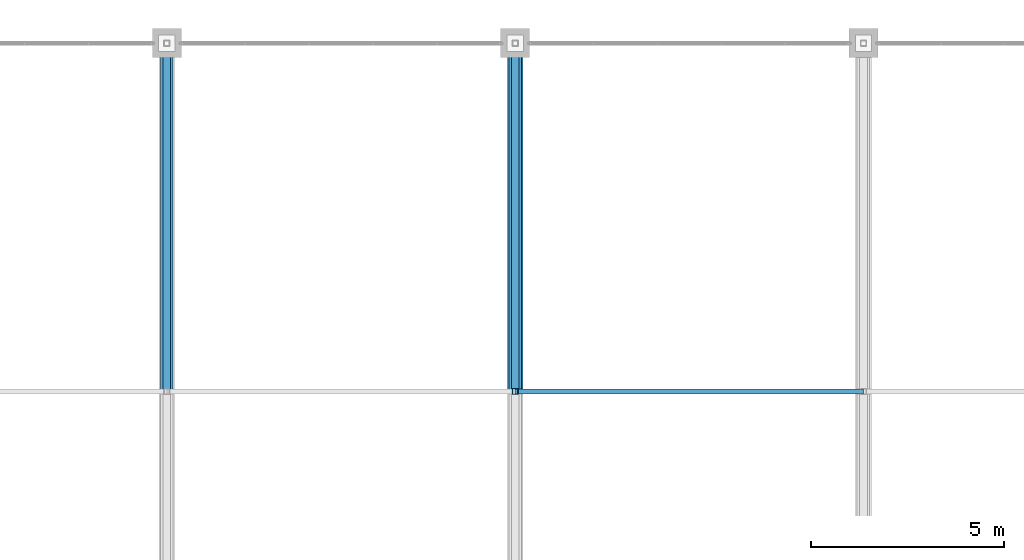
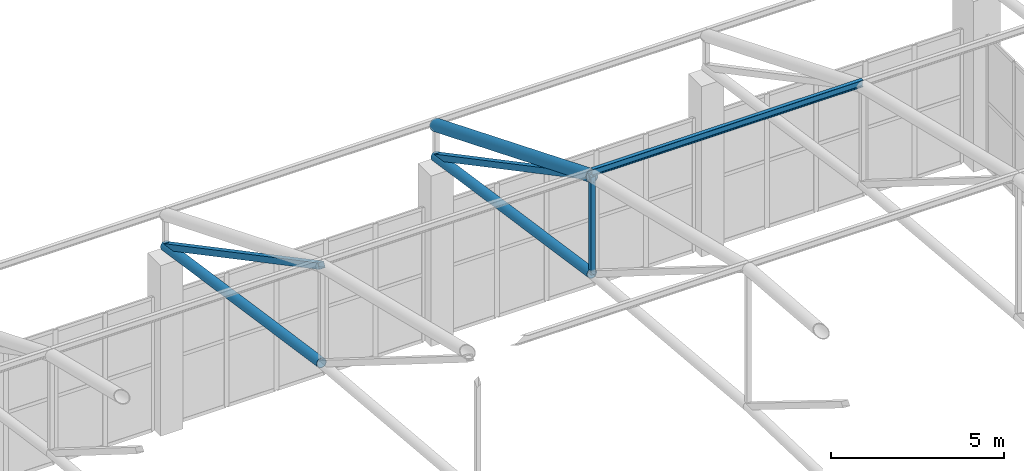
# One storey, part 140 of 223: 7 members.
"""IFC4 building model written with IfcOpenShell, lengths in metres."""

from ifc_helpers import new_model, si_unit, direction, frame, origin, origin_2d, place, context, subcontext, project, spatial, hollow_rectangle, hollow_circle, i_section, extrude, material, material_profile, profile_set, type_object, element, save


model = new_model("IFC4")

# Units and contexts
model_context = context("Model", 3, precision=1e-05, world=origin(), true_north=direction((0.0, 1.0)))
body_context = subcontext(model_context, "Body", "Model", "MODEL_VIEW")
ifc_project = project(units=[si_unit("LENGTHUNIT", "METRE"), si_unit("AREAUNIT", "SQUARE_METRE"), si_unit("VOLUMEUNIT", "CUBIC_METRE"), si_unit("PLANEANGLEUNIT", "RADIAN"), si_unit("MASSUNIT", "GRAM", prefix="KILO")], contexts=[model_context])

# Site, building, storey
site_placement = place(None, origin())
site = spatial("IfcSite", under=ifc_project, at=site_placement, CompositionType="ELEMENT")
building_placement = place(site_placement, origin())
building = spatial("IfcBuilding", under=site, at=building_placement, Name="Dornveld Trade and Exhibition Forum", CompositionType="ELEMENT")
storey_placement = place(building_placement, frame((0.0, 0.0, 6.0)))
storey = spatial("IfcBuildingStorey", under=building, at=storey_placement, Name="L01", CompositionType="ELEMENT", Elevation=6.0)

# Members
ifc_material_1 = material(Name="Steel S355J2", Category="steel")
ifc_material_profile_1 = material_profile(ifc_material_1, hollow_circle(Radius=0.161865234375, WallThickness=0.01611328125, at=origin_2d()), Name="CHS 323.9x16")
ifc_profile_set_1 = profile_set([ifc_material_profile_1], Name="Steel S355J2")
member_type_1 = type_object("IfcMemberType", Name="MEM-ARCH-BC", PredefinedType="CHORD", material=ifc_profile_set_1)
for number, where, z_axis, x_axis, name in (
    (1, (144.0, 153.0, 7.683349609375), (0.0, 0.989204758987, -0.146539908551), (-1.0, 0.0, 0.0), "H1 truss 6 tie chord 6"),
    (2, (153.0, 153.0, 7.683349609375), (0.0, 0.989204758987, -0.146539908551), (-1.0, 0.0, 0.0), "H1 truss 7 tie chord 6"),
):
    element("IfcMember", number, at=place(storey_placement, frame(where, z_axis=z_axis, x_axis=x_axis)), inside=storey, type_object=member_type_1, Name=name, PredefinedType="CHORD", context=body_context, shape_type="SweptSolid", body=[
        extrude(hollow_circle(Radius=0.161865234375, WallThickness=0.01611328125, at=origin_2d()), origin(), (0.0, 0.0, 1.0), 9.09814453125),
    ])
ifc_material_2 = material(Name="Steel S355J2", Category="steel")
ifc_material_profile_2 = material_profile(ifc_material_2, hollow_rectangle(XDim=0.14990234375, YDim=0.14990234375, WallThickness=0.008056640625, at=origin_2d()), Name="SHS 150x150x8")
ifc_profile_set_2 = profile_set([ifc_material_profile_2], Name="Steel S355J2")
member_type_2 = type_object("IfcMemberType", Name="MEM-ARCH-STR", PredefinedType="STRUT", material=ifc_profile_set_2)
member_1_placement = place(storey_placement, frame((153.0, 153.0, 7.683349609375), z_axis=(0.0, 0.0, 1.0), x_axis=(1.0, 0.0, 0.0)))
element("IfcMember", 3, at=member_1_placement, inside=storey, type_object=member_type_2, Name="H1 truss 7 strut 6", PredefinedType="STRUT", context=body_context, shape_type="SweptSolid", body=[
    extrude(hollow_rectangle(XDim=0.14990234375, YDim=0.14990234375, WallThickness=0.008056640625, at=origin_2d()), origin(), (0.0, 0.0, 1.0), 3.433349609375),
])
ifc_material_3 = material(Name="Steel S355J2", Category="steel")
ifc_material_profile_3 = material_profile(ifc_material_3, hollow_circle(Radius=0.203125, WallThickness=0.02001953125, at=origin_2d()), Name="CHS 406.4x20")
ifc_profile_set_3 = profile_set([ifc_material_profile_3], Name="Steel S355J2")
member_type_3 = type_object("IfcMemberType", Name="MEM-ARCH-TC", PredefinedType="CHORD", material=ifc_profile_set_3)
member_2_placement = place(storey_placement, frame((153.0, 153.0, 11.11669921875), z_axis=(0.0, 0.926089433793, -0.377304069177), x_axis=(-1.0, 0.0, 0.0)))
element("IfcMember", 4, at=member_2_placement, inside=storey, type_object=member_type_3, Name="H1 truss 7 top chord 6", PredefinedType="CHORD", context=body_context, shape_type="SweptSolid", body=[
    extrude(hollow_circle(Radius=0.203125, WallThickness=0.02001953125, at=origin_2d()), origin(), (0.0, 0.0, 1.0), 9.71826171875),
])
ifc_material_4 = material(Name="Steel S355J2", Category="steel")
ifc_material_profile_4 = material_profile(ifc_material_4, hollow_rectangle(XDim=0.199951171875, YDim=0.199951171875, WallThickness=0.010009765625, at=origin_2d()), Name="SHS 200x200x10")
ifc_profile_set_4 = profile_set([ifc_material_profile_4], Name="Steel S355J2")
member_type_4 = type_object("IfcMemberType", Name="MEM-ARCH-WEB", PredefinedType="BRACE", material=ifc_profile_set_4)
for number, where, z_axis, x_axis, name in (
    (5, (144.0, 162.0, 6.35009765625), (0.0, -0.883710934211, 0.468033102201), (1.0, 0.0, 0.0), "H1 truss 6 web 6"),
    (6, (153.0, 162.0, 6.35009765625), (0.0, -0.883710934211, 0.468033102201), (1.0, 0.0, 0.0), "H1 truss 7 web 6"),
):
    element("IfcMember", number, at=place(storey_placement, frame(where, z_axis=z_axis, x_axis=x_axis)), inside=storey, type_object=member_type_4, Name=name, PredefinedType="BRACE", context=body_context, shape_type="SweptSolid", body=[
        extrude(hollow_rectangle(XDim=0.199951171875, YDim=0.199951171875, WallThickness=0.010009765625, at=origin_2d()), origin(), (0.0, 0.0, 1.0), 10.184326171875),
    ])
ifc_material_5 = material(Name="Steel S355J2", Category="steel")
ifc_material_profile_5 = material_profile(ifc_material_5, i_section(OverallWidth=0.1201171875, OverallDepth=0.239990234375, WebThickness=0.006103515625, FlangeThickness=0.009765625, FilletRadius=0.014892578125, at=origin_2d()), Name="IPE 240")
ifc_profile_set_5 = profile_set([ifc_material_profile_5], Name="Steel S355J2")
member_type_5 = type_object("IfcMemberType", Name="MEM-PURLIN-240", PredefinedType="PURLIN", material=ifc_profile_set_5)
member_3_placement = place(storey_placement, frame((153.0, 153.0, 11.248779296875), z_axis=(1.0, 0.0, 0.0), x_axis=(0.0, 1.0, 0.0)))
element("IfcMember", 7, at=member_3_placement, inside=storey, type_object=member_type_5, Name="H1 bay 7 roof purlin 6", PredefinedType="PURLIN", context=body_context, shape_type="SweptSolid", body=[
    extrude(i_section(OverallWidth=0.1201171875, OverallDepth=0.239990234375, WebThickness=0.006103515625, FlangeThickness=0.009765625, FilletRadius=0.014892578125, at=origin_2d()), origin(), (0.0, 0.0, 1.0), 9.0),
])

save(model, "model.ifc")
